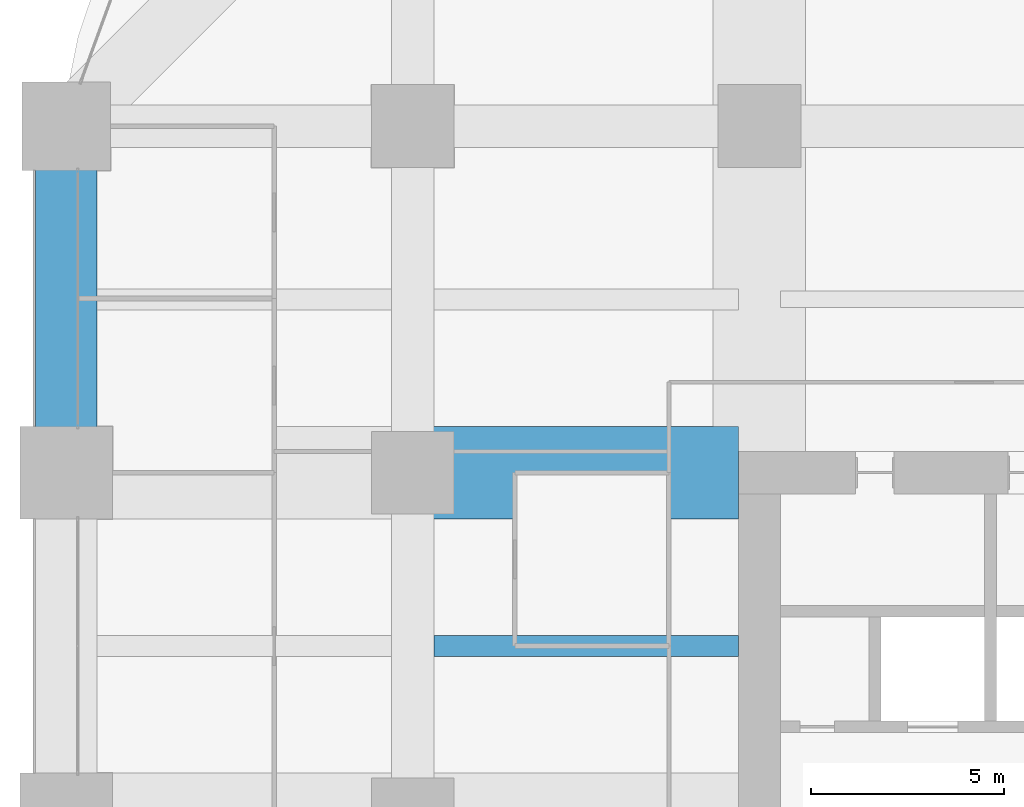
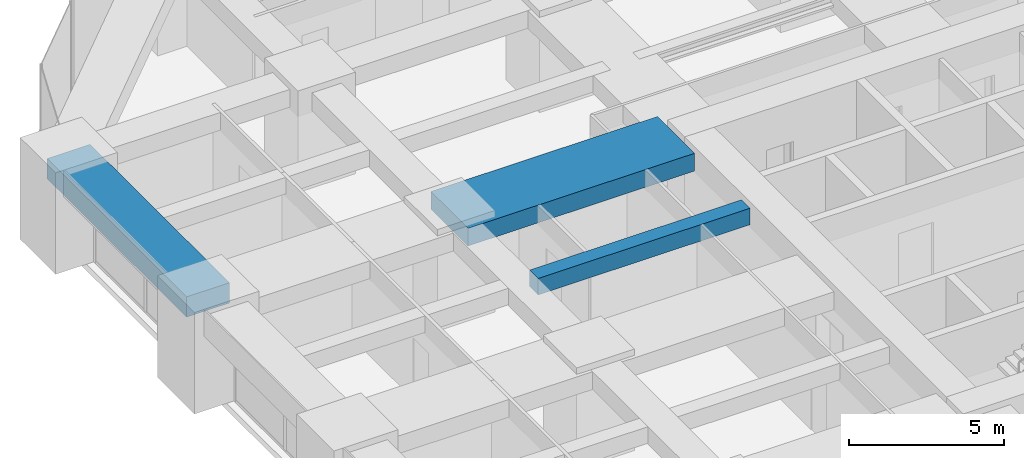
# One storey, part 24 of 45: 3 beams.
"""IFC4 building model written with IfcOpenShell, lengths in metres."""

from ifc_helpers import new_model, si_unit, direction, frame, origin, origin_2d, place, context, subcontext, project, spatial, rectangle, extrude, material, material_profile, profile_set, type_object, element, save


model = new_model("IFC4")

# Units and contexts
model_context = context("Model", 3, precision=1e-05, world=origin(), true_north=direction((0.0, 1.0)))
body_context = subcontext(model_context, "Body", "Model", "MODEL_VIEW")
ifc_project = project(units=[si_unit("LENGTHUNIT", "METRE"), si_unit("AREAUNIT", "SQUARE_METRE"), si_unit("VOLUMEUNIT", "CUBIC_METRE"), si_unit("PLANEANGLEUNIT", "RADIAN"), si_unit("MASSUNIT", "GRAM", prefix="KILO")], contexts=[model_context])

# Site, building, storey
site_placement = place(None, origin())
site = spatial("IfcSite", under=ifc_project, at=site_placement, CompositionType="ELEMENT")
building_placement = place(site_placement, origin())
building = spatial("IfcBuilding", under=site, at=building_placement, Name="Zorevar Civic Tower", CompositionType="ELEMENT")
storey_placement = place(building_placement, frame((0.0, 0.0, 71.800048828125)))
storey = spatial("IfcBuildingStorey", under=building, at=storey_placement, Name="L17", CompositionType="ELEMENT", Elevation=71.800048828125)

# Beams
ifc_material_1 = material(Name="Concrete C50/60", Category="concrete")
ifc_material_profile_1 = material_profile(ifc_material_1, rectangle(XDim=2.39990234375, YDim=0.699951171875, at=origin_2d()), Name="RC 2400x700")
ifc_profile_set_1 = profile_set([ifc_material_profile_1], Name="Concrete C50/60")
beam_type_1 = type_object("IfcBeamType", Name="Beam RC 2400x700", PredefinedType="BEAM", material=ifc_profile_set_1)
beam_1_placement = place(storey_placement, frame((9.0, 36.0, 3.39990234375), z_axis=(1.0, 0.0, 0.0), x_axis=(0.0, 1.0, 0.0)))
element("IfcBeam", 1, at=beam_1_placement, inside=storey, type_object=beam_type_1, Name="Girder L18", PredefinedType="BEAM", context=body_context, shape_type="SweptSolid", body=[
    extrude(rectangle(XDim=2.39990234375, YDim=0.699951171875, at=origin_2d()), origin(), (0.0, 0.0, 1.0), 8.449951171875),
])
ifc_material_2 = material(Name="Concrete C50/60", Category="concrete")
ifc_material_profile_2 = material_profile(ifc_material_2, rectangle(XDim=0.550048828125, YDim=0.64990234375, at=origin_2d()), Name="RC 550x650")
ifc_profile_set_2 = profile_set([ifc_material_profile_2], Name="Concrete C50/60")
beam_type_2 = type_object("IfcBeamType", Name="Beam RC 550x650", PredefinedType="BEAM", material=ifc_profile_set_2)
beam_2_placement = place(storey_placement, frame((9.550048828125, 31.5, 3.425048828125), z_axis=(1.0, 0.0, 0.0), x_axis=(0.0, 1.0, 0.0)))
element("IfcBeam", 2, at=beam_2_placement, inside=storey, type_object=beam_type_2, Name="Secondary beam L18", PredefinedType="BEAM", context=body_context, shape_type="SweptSolid", body=[
    extrude(rectangle(XDim=0.550048828125, YDim=0.64990234375, at=origin_2d()), origin(), (0.0, 0.0, 1.0), 7.89990234375),
])
ifc_material_3 = material(Name="Concrete C50/60", Category="concrete")
ifc_material_profile_3 = material_profile(ifc_material_3, rectangle(XDim=1.60009765625, YDim=0.800048828125, at=origin_2d()), Name="RC 1600x800")
ifc_profile_set_3 = profile_set([ifc_material_profile_3], Name="Concrete C50/60")
beam_type_3 = type_object("IfcBeamType", Name="Edge beam RC 1600x800", PredefinedType="SPANDREL", material=ifc_profile_set_3)
beam_3_placement = place(storey_placement, frame((0.0, 36.0, 3.349853515625), z_axis=(0.0, 1.0, 0.0), x_axis=(-1.0, 0.0, 0.0)))
element("IfcBeam", 3, at=beam_3_placement, inside=storey, type_object=beam_type_3, Name="Edge beam L18", PredefinedType="SPANDREL", context=body_context, shape_type="SweptSolid", body=[
    extrude(rectangle(XDim=1.60009765625, YDim=0.800048828125, at=origin_2d()), origin(), (0.0, 0.0, 1.0), 9.0),
])

save(model, "model.ifc")
